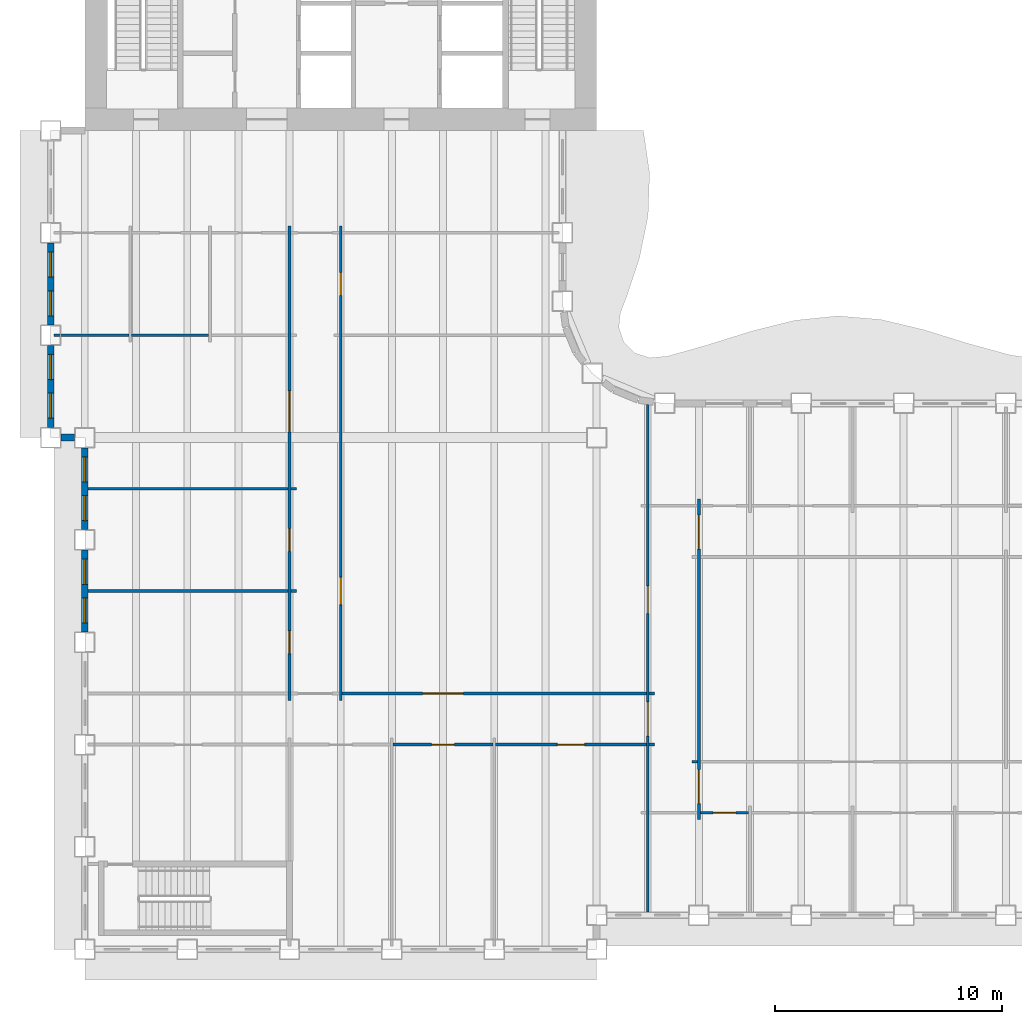
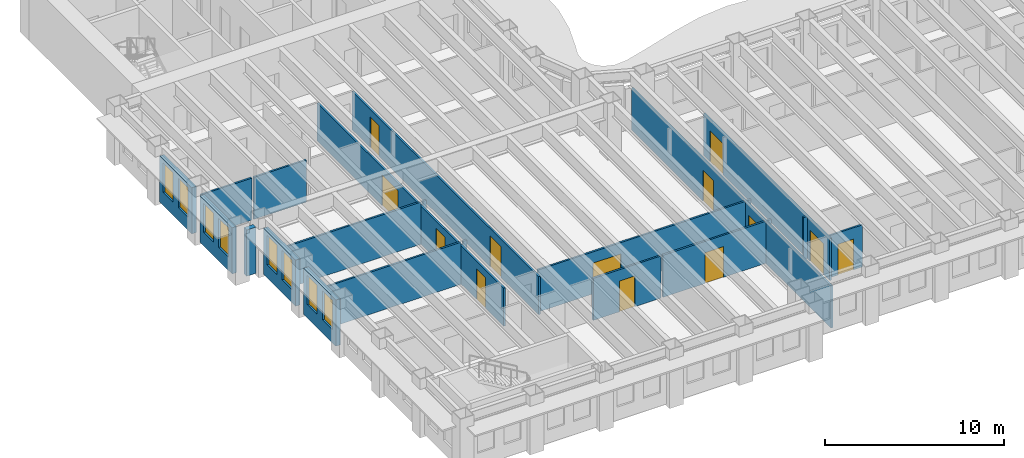
# One storey, part 4 of 16: 22 walls, 13 doors, 8 windows, 21 openings.
"""IFC4 building model written with IfcOpenShell, lengths in metres."""

import ifcopenshell
import ifcopenshell.guid

model = None  # the IFC model being written
_history = None  # IfcOwnerHistory: only IFC2X3 demands one
_inside = {}  # id of a spatial element -> (the spatial element, [elements in it])
_under = {}  # id of a project, library or spatial element -> (it, [spatial elements below it])
_declared = {}  # id of a project -> (the project, [libraries it declares])
_typed = {}  # id of a type object -> (the type object, [elements of that type])
_made_of = {}  # id of a material, layer set ... -> (it, [elements and type objects made of it])


def new_model(schema):
    """Start an empty IFC model of exactly this schema.

    Asked for "IFC4X3", IfcOpenShell would pick the latest addendum, in which some entities
    have other attributes; the version numbers below select the first issue.
    IFC2X3 requires an IfcOwnerHistory on every rooted entity: one is made here for all.
    """
    global model, _history
    if schema == "IFC4X3":
        model = ifcopenshell.file(schema_version=(4, 3, 0, 0))
    else:
        model = ifcopenshell.file(schema=schema)
    _inside.clear()
    _under.clear()
    _declared.clear()
    _typed.clear()
    _made_of.clear()
    _history = None
    if model.schema == "IFC2X3":
        org = make("IfcOrganization", Name="unknown")
        user = make(
            "IfcPersonAndOrganization",
            ThePerson=make("IfcPerson", FamilyName="unknown"),
            TheOrganization=org,
        )
        app = make(
            "IfcApplication",
            ApplicationDeveloper=org,
            Version="unknown",
            ApplicationFullName="unknown",
            ApplicationIdentifier="unknown",
        )
        _history = make(
            "IfcOwnerHistory",
            OwningUser=user,
            OwningApplication=app,
            ChangeAction="ADDED",
            CreationDate=0,
        )
    return model


def make(cls, **values):
    """One entity of the class cls with the attributes given. An attribute that is None is left unset."""
    return model.create_entity(
        cls, **{name: value for name, value in values.items() if value is not None}
    )


def rooted(cls, **values):
    """An entity with a GlobalId (a new one), such as an element, a storey or a relation."""
    return make(cls, GlobalId=ifcopenshell.guid.new(), OwnerHistory=_history, **values)


def si_unit(unit_type, name, prefix=None):
    """IfcSIUnit, for example si_unit("LENGTHUNIT", "METRE", prefix="MILLI")."""
    return make("IfcSIUnit", UnitType=unit_type, Prefix=prefix, Name=name)


def assignment(units):
    """IfcUnitAssignment: the units of a project."""
    return None if units is None else make("IfcUnitAssignment", Units=units)


def point(xyz):
    """IfcCartesianPoint."""
    return None if xyz is None else make("IfcCartesianPoint", Coordinates=xyz)


def direction(xyz):
    """IfcDirection."""
    return None if xyz is None else make("IfcDirection", DirectionRatios=xyz)


def frame(location, z_axis=None, x_axis=None):
    """IfcAxis2Placement3D, a coordinate frame: its origin and axes. An axis left out is left unset."""
    return make(
        "IfcAxis2Placement3D",
        Location=point(location),
        Axis=direction(z_axis),
        RefDirection=direction(x_axis),
    )


def frame_2d(location, x_axis=None):
    """IfcAxis2Placement2D, a coordinate frame in the plane: its origin and x axis."""
    return make(
        "IfcAxis2Placement2D", Location=point(location), RefDirection=direction(x_axis)
    )


def origin():
    """The frame at (0, 0, 0) with its axes left unset."""
    return frame((0.0, 0.0, 0.0))


def place(relative_to, where):
    """IfcLocalPlacement: puts the frame where relative to a parent placement (None: the world)."""
    return make(
        "IfcLocalPlacement", PlacementRelTo=relative_to, RelativePlacement=where
    )


def context(
    kind, dimensions, precision=None, world=None, true_north=None, identifier=None
):
    """IfcGeometricRepresentationContext, for example the 3D "Model" context."""
    return make(
        "IfcGeometricRepresentationContext",
        ContextIdentifier=identifier,
        ContextType=kind,
        CoordinateSpaceDimension=dimensions,
        Precision=precision,
        WorldCoordinateSystem=world,
        TrueNorth=true_north,
    )


def subcontext(parent, identifier, kind, view, scale=None):
    """IfcGeometricRepresentationSubContext, for example "Body" below "Model"."""
    return make(
        "IfcGeometricRepresentationSubContext",
        ContextIdentifier=identifier,
        ContextType=kind,
        ParentContext=parent,
        TargetScale=scale,
        TargetView=view,
    )


def project(units=None, contexts=None):
    """IfcProject with its units and contexts."""
    return rooted(
        "IfcProject",
        Name="project",
        RepresentationContexts=contexts,
        UnitsInContext=assignment(units),
    )


def spatial(cls, under=None, at=None, **own):
    """A site, building, storey or space (cls), placed at a placement, below another one or the project."""
    s = rooted(cls, ObjectPlacement=at, **own)
    if under is not None:
        _under.setdefault(under.id(), (under, []))[1].append(s)
    return s


def profile(cls, at=None, kind="AREA", **sizes):
    """A parametric profile (cls). Its sizes go by their IFC names, for example OverallWidth=200.0."""
    return make(cls, ProfileType=kind, Position=at, **sizes)


def rectangle(**sizes):
    """IfcRectangleProfileDef."""
    return profile("IfcRectangleProfileDef", **sizes)


def extrude(swept, where, along, depth):
    """IfcExtrudedAreaSolid: the profile swept, set in the frame where, extruded along a direction by depth."""
    return make(
        "IfcExtrudedAreaSolid",
        SweptArea=swept,
        Position=where,
        ExtrudedDirection=direction(along),
        Depth=depth,
    )


def shape(context_of_items, identifier, shape_type, items):
    """IfcShapeRepresentation: the items that make up one representation, for example the "Body"."""
    return make(
        "IfcShapeRepresentation",
        ContextOfItems=context_of_items,
        RepresentationIdentifier=identifier,
        RepresentationType=shape_type,
        Items=items,
    )


def material(Name=None, Category=None):
    """IfcMaterial."""
    return make("IfcMaterial", Name=Name, Category=Category)


def layer(
    of_material, thickness, ventilated=None, Name=None, Category=None, Priority=None
):
    """IfcMaterialLayer: one layer of a wall or slab, of a material (None: an air gap)."""
    return make(
        "IfcMaterialLayer",
        Material=of_material,
        LayerThickness=thickness,
        IsVentilated=ventilated,
        Name=Name,
        Category=Category,
        Priority=Priority,
    )


def layer_set(layers, Name=None):
    """IfcMaterialLayerSet."""
    return make("IfcMaterialLayerSet", MaterialLayers=layers, LayerSetName=Name)


def made_of(thing, what):
    """Note that an element or type object is made of a material, layer set ...; save() writes the relation."""
    if what is not None:
        _made_of.setdefault(what.id(), (what, []))[1].append(thing)
    return thing


def type_object(cls, material=None, **own):
    """A type object (cls), such as IfcWallType, which elements share."""
    return made_of(rooted(cls, **own), material)


def element(
    cls,
    number,
    at=None,
    inside=None,
    cuts=None,
    type_object=None,
    material=None,
    context=None,
    identifier="Body",
    shape_type=None,
    held_by="IfcProductDefinitionShape",
    body=None,
    shapes=None,
    **own,
):
    """One element of the class cls, such as IfcWall. Its Tag is "e" and its number.

    at: its placement. inside: the storey or other place that contains it. cuts: it is an
    opening in that element (IfcRelVoidsElement). A single representation is given by context,
    identifier, shape_type and body (its items); several are given by shapes. held_by: the class
    of the entity that holds the representations. save() writes the other relations.
    """
    e = rooted(cls, Tag="e%d" % number, ObjectPlacement=at, **own)
    if body is not None:
        shapes = [shape(context, identifier, shape_type, body)]
    if shapes is not None:
        e.Representation = make(held_by, Representations=shapes)
    if inside is not None:
        _inside.setdefault(inside.id(), (inside, []))[1].append(e)
    if cuts is not None:
        rooted(
            "IfcRelVoidsElement", RelatingBuildingElement=cuts, RelatedOpeningElement=e
        )
    if type_object is not None:
        _typed.setdefault(type_object.id(), (type_object, []))[1].append(e)
    return made_of(e, material)


def fill(opening, filler):
    """IfcRelFillsElement: the door or window that sits in an opening."""
    return rooted(
        "IfcRelFillsElement",
        RelatingOpeningElement=opening,
        RelatedBuildingElement=filler,
    )


def aggregate(whole, parts):
    """IfcRelAggregates: a whole, such as a stair, and the parts it consists of."""
    return rooted("IfcRelAggregates", RelatingObject=whole, RelatedObjects=parts)


def save(model, path):
    """Write the relations noted so far, then the file.

    IfcRelAggregates (storeys below a building ...), IfcRelContainedInSpatialStructure (elements
    in a storey), IfcRelDefinesByType, IfcRelAssociatesMaterial and IfcRelDeclares: one each for
    every whole, place, type object, material and project.
    """
    for whole, parts in _under.values():
        aggregate(whole, parts)
    for where, things in _inside.values():
        rooted(
            "IfcRelContainedInSpatialStructure",
            RelatedElements=things,
            RelatingStructure=where,
        )
    for kind, things in _typed.values():
        rooted("IfcRelDefinesByType", RelatedObjects=things, RelatingType=kind)
    for what, things in _made_of.values():
        rooted("IfcRelAssociatesMaterial", RelatedObjects=things, RelatingMaterial=what)
    for by, libraries in _declared.values():
        rooted("IfcRelDeclares", RelatingContext=by, RelatedDefinitions=libraries)
    model.write(path)


model = new_model("IFC4")

# Units and contexts
model_context = context("Model", 3, precision=1e-05, world=origin(), true_north=direction((0.0, 1.0)))
body_context = subcontext(model_context, "Body", "Model", "MODEL_VIEW")
ifc_project = project(units=[si_unit("LENGTHUNIT", "METRE"), si_unit("AREAUNIT", "SQUARE_METRE"), si_unit("VOLUMEUNIT", "CUBIC_METRE"), si_unit("PLANEANGLEUNIT", "RADIAN"), si_unit("MASSUNIT", "GRAM", prefix="KILO")], contexts=[model_context])

# Site, building, storey
site_placement = place(None, origin())
site = spatial("IfcSite", under=ifc_project, at=site_placement, CompositionType="ELEMENT")
building_placement = place(site_placement, origin())
building = spatial("IfcBuilding", under=site, at=building_placement, Name="Sennacour Bend Tower", CompositionType="ELEMENT")
storey_placement = place(building_placement, frame((0.0, 0.0, 159.0)))
storey = spatial("IfcBuildingStorey", under=building, at=storey_placement, Name="L36", CompositionType="ELEMENT", Elevation=159.0)

# Wall, openings, doors
ifc_material_1 = material(Name="Plasterboard partition on steel studs", Category="steel")
ifc_layer_1 = layer(ifc_material_1, 0.1201171875, Name="Plasterboard partition on steel studs", Category="steel")
ifc_layer_set_1 = layer_set([ifc_layer_1], Name="Plasterboard partition on steel studs")
wall_type_1 = type_object("IfcWallType", Name="Partition 120", PredefinedType="PARTITIONING", material=ifc_layer_set_1)
wall_1_placement = place(storey_placement, frame((9.0, 10.949951171875, 0.0), z_axis=(0.0, 0.0, 1.0), x_axis=(0.0, 1.0, 0.0)))
wall_1 = element("IfcWall", 1, at=wall_1_placement, inside=storey, type_object=wall_type_1, Name="P-L36-W012a", PredefinedType="PARTITIONING", context=body_context, shape_type="SweptSolid", body=[
    extrude(rectangle(XDim=20.85009765625, YDim=0.1201171875, at=frame_2d((10.425048828125, 0.0))), origin(), (0.0, 0.0, 1.0), 2.60009765625),
])
opening_1_placement = place(wall_1_placement, frame((2.050048828125, 0.0, 0.0)))
opening_1 = element("IfcOpeningElement", 2, at=opening_1_placement, cuts=wall_1, Name="Opening OD2", PredefinedType="OPENING", context=body_context, shape_type="SweptSolid", body=[
    extrude(rectangle(XDim=1.0, YDim=2.10009765625, at=frame_2d((0.5, 1.050048828125))), frame((0.0, 0.070068359375, 0.0), z_axis=(0.0, -1.0, 0.0), x_axis=(1.0, 0.0, 0.0)), (0.0, 0.0, 1.0), 0.14013671875),
])
opening_2_placement = place(wall_1_placement, frame((6.550048828125, 0.0, 0.0)))
opening_2 = element("IfcOpeningElement", 3, at=opening_2_placement, cuts=wall_1, Name="Opening OD2", PredefinedType="OPENING", context=body_context, shape_type="SweptSolid", body=[
    extrude(rectangle(XDim=1.0, YDim=2.10009765625, at=frame_2d((0.5, 1.050048828125))), frame((0.0, 0.070068359375, 0.0), z_axis=(0.0, -1.0, 0.0), x_axis=(1.0, 0.0, 0.0)), (0.0, 0.0, 1.0), 0.14013671875),
])
opening_3_placement = place(wall_1_placement, frame((11.804931640625, 0.0, 0.0)))
opening_3 = element("IfcOpeningElement", 4, at=opening_3_placement, cuts=wall_1, Name="Opening OD3", PredefinedType="OPENING", context=body_context, shape_type="SweptSolid", body=[
    extrude(rectangle(XDim=1.800048828125, YDim=2.10009765625, at=frame_2d((0.89990234375, 1.050048828125))), frame((0.0, 0.070068359375, 0.0), z_axis=(0.0, -1.0, 0.0), x_axis=(1.0, 0.0, 0.0)), (0.0, 0.0, 1.0), 0.14013671875),
])
ifc_material_2 = material(Name="Timber", Category="wood")
door_type_1 = type_object("IfcDoorType", Name="DR-OFFICE-1000", OperationType="NOTDEFINED", PredefinedType="DOOR", material=ifc_material_2)
door_1_placement = place(opening_1_placement, origin())
door_1 = element("IfcDoor", 5, at=door_1_placement, inside=storey, type_object=door_type_1, Name="Door", OperationType="SINGLE_SWING_LEFT", OverallHeight=2.10009765625, OverallWidth=1.0, PredefinedType="DOOR", context=body_context, shape_type="SweptSolid", body=[
    extrude(rectangle(XDim=1.0, YDim=2.10009765625, at=frame_2d((0.5, 1.050048828125))), frame((0.0, 0.02490234375, 0.0), z_axis=(0.0, -1.0, 0.0), x_axis=(1.0, 0.0, 0.0)), (0.0, 0.0, 1.0), 0.050048828125),
])
fill(opening_1, door_1)
door_2_placement = place(opening_2_placement, origin())
door_2 = element("IfcDoor", 6, at=door_2_placement, inside=storey, type_object=door_type_1, Name="Door", OperationType="SINGLE_SWING_LEFT", OverallHeight=2.10009765625, OverallWidth=1.0, PredefinedType="DOOR", context=body_context, shape_type="SweptSolid", body=[
    extrude(rectangle(XDim=1.0, YDim=2.10009765625, at=frame_2d((0.5, 1.050048828125))), frame((0.0, 0.02490234375, 0.0), z_axis=(0.0, -1.0, 0.0), x_axis=(1.0, 0.0, 0.0)), (0.0, 0.0, 1.0), 0.050048828125),
])
fill(opening_2, door_2)
door_type_2 = type_object("IfcDoorType", Name="DR-OFFICE-1800", OperationType="NOTDEFINED", PredefinedType="DOOR", material=ifc_material_2)
door_3_placement = place(opening_3_placement, origin())
door_3 = element("IfcDoor", 7, at=door_3_placement, inside=storey, type_object=door_type_2, Name="Door", OperationType="DOUBLE_DOOR_SINGLE_SWING", OverallHeight=2.10009765625, OverallWidth=1.800048828125, PredefinedType="DOOR", context=body_context, shape_type="SweptSolid", body=[
    extrude(rectangle(XDim=1.800048828125, YDim=2.10009765625, at=frame_2d((0.89990234375, 1.050048828125))), frame((0.0, 0.02490234375, 0.0), z_axis=(0.0, -1.0, 0.0), x_axis=(1.0, 0.0, 0.0)), (0.0, 0.0, 1.0), 0.050048828125),
])
fill(opening_3, door_3)

wall_2_placement = place(storey_placement, frame((11.25, 10.949951171875, 0.0), z_axis=(0.0, 0.0, 1.0), x_axis=(0.0, 1.0, 0.0)))
wall_2 = element("IfcWall", 8, at=wall_2_placement, inside=storey, type_object=wall_type_1, Name="P-L36-W014a", PredefinedType="PARTITIONING", context=body_context, shape_type="SweptSolid", body=[
    extrude(rectangle(XDim=20.85009765625, YDim=0.1201171875, at=frame_2d((10.425048828125, 0.0))), origin(), (0.0, 0.0, 1.0), 2.60009765625),
])
opening_4_placement = place(wall_2_placement, frame((17.800048828125, 0.0, 0.0)))
opening_4 = element("IfcOpeningElement", 9, at=opening_4_placement, cuts=wall_2, Name="Opening OD2", PredefinedType="OPENING", context=body_context, shape_type="SweptSolid", body=[
    extrude(rectangle(XDim=1.0, YDim=2.10009765625, at=frame_2d((0.5, 1.050048828125))), frame((0.0, 0.070068359375, 0.0), z_axis=(0.0, -1.0, 0.0), x_axis=(1.0, 0.0, 0.0)), (0.0, 0.0, 1.0), 0.14013671875),
])
opening_5_placement = place(wall_2_placement, frame((4.199951171875, 0.0, 0.0)))
opening_5 = element("IfcOpeningElement", 10, at=opening_5_placement, cuts=wall_2, Name="Opening OD", PredefinedType="OPENING", context=body_context, shape_type="SweptSolid", body=[
    extrude(rectangle(XDim=1.199951171875, YDim=2.10009765625, at=frame_2d((0.60009765625, 1.050048828125))), frame((0.0, 0.070068359375, 0.0), z_axis=(0.0, -1.0, 0.0), x_axis=(1.0, 0.0, 0.0)), (0.0, 0.0, 1.0), 0.14013671875),
])
door_4_placement = place(opening_4_placement, origin())
door_4 = element("IfcDoor", 11, at=door_4_placement, inside=storey, type_object=door_type_1, Name="Door", OperationType="SINGLE_SWING_RIGHT", OverallHeight=2.10009765625, OverallWidth=1.0, PredefinedType="DOOR", context=body_context, shape_type="SweptSolid", body=[
    extrude(rectangle(XDim=1.0, YDim=2.10009765625, at=frame_2d((0.5, 1.050048828125))), frame((0.0, 0.02490234375, 0.0), z_axis=(0.0, -1.0, 0.0), x_axis=(1.0, 0.0, 0.0)), (0.0, 0.0, 1.0), 0.050048828125),
])
fill(opening_4, door_4)
door_type_3 = type_object("IfcDoorType", Name="DR-OFFICE-1200", OperationType="NOTDEFINED", PredefinedType="DOOR", material=ifc_material_2)
door_5_placement = place(opening_5_placement, origin())
door_5 = element("IfcDoor", 12, at=door_5_placement, inside=storey, type_object=door_type_3, Name="Door", OperationType="SINGLE_SWING_LEFT", OverallHeight=2.10009765625, OverallWidth=1.199951171875, PredefinedType="DOOR", context=body_context, shape_type="SweptSolid", body=[
    extrude(rectangle(XDim=1.199951171875, YDim=2.10009765625, at=frame_2d((0.60009765625, 1.050048828125))), frame((0.0, 0.02490234375, 0.0), z_axis=(0.0, -1.0, 0.0), x_axis=(1.0, 0.0, 0.0)), (0.0, 0.0, 1.0), 0.050048828125),
])
fill(opening_5, door_5)

# Wall, opening, door
wall_3_placement = place(storey_placement, frame((27.06005859375, 6.0, 0.0), z_axis=(0.0, 0.0, 1.0), x_axis=(1.0, 0.0, 0.0)))
wall_3 = element("IfcWall", 13, at=wall_3_placement, inside=storey, type_object=wall_type_1, Name="P-L36-W058ac", PredefinedType="PARTITIONING", context=body_context, shape_type="SweptSolid", body=[
    extrude(rectangle(XDim=2.1298828125, YDim=0.1201171875, at=frame_2d((1.06494140625, 0.0))), origin(), (0.0, 0.0, 1.0), 2.8701171875),
])
opening_6_placement = place(wall_3_placement, frame((0.56494140625, 0.0, 0.0)))
opening_6 = element("IfcOpeningElement", 14, at=opening_6_placement, cuts=wall_3, Name="Opening OD2", PredefinedType="OPENING", context=body_context, shape_type="SweptSolid", body=[
    extrude(rectangle(XDim=1.0, YDim=2.10009765625, at=frame_2d((0.5, 1.050048828125))), frame((0.0, 0.070068359375, 0.0), z_axis=(0.0, -1.0, 0.0), x_axis=(1.0, 0.0, 0.0)), (0.0, 0.0, 1.0), 0.14013671875),
])
door_6_placement = place(opening_6_placement, origin())
door_6 = element("IfcDoor", 15, at=door_6_placement, inside=storey, type_object=door_type_1, Name="Door", OperationType="SINGLE_SWING_LEFT", OverallHeight=2.10009765625, OverallWidth=1.0, PredefinedType="DOOR", context=body_context, shape_type="SweptSolid", body=[
    extrude(rectangle(XDim=1.0, YDim=2.10009765625, at=frame_2d((0.5, 1.050048828125))), frame((0.0, 0.02490234375, 0.0), z_axis=(0.0, -1.0, 0.0), x_axis=(1.0, 0.0, 0.0)), (0.0, 0.0, 1.0), 0.050048828125),
])
fill(opening_6, door_6)

# Wall
wall_4_placement = place(storey_placement, frame((26.699951171875, 8.25, 0.0), z_axis=(0.0, 0.0, 1.0), x_axis=(1.0, 0.0, 0.0)))
element("IfcWall", 16, at=wall_4_placement, inside=storey, type_object=wall_type_1, Name="P-L36-W060aa", PredefinedType="PARTITIONING", context=body_context, shape_type="SweptSolid", body=[
    extrude(rectangle(XDim=0.239990234375, YDim=0.1201171875, at=frame_2d((0.1201171875, 0.0))), origin(), (0.0, 0.0, 1.0), 2.8701171875),
])

# Wall, opening, door
wall_5_placement = place(storey_placement, frame((13.56005859375, 9.0, 0.0), z_axis=(0.0, 0.0, 1.0), x_axis=(1.0, 0.0, 0.0)))
wall_5 = element("IfcWall", 17, at=wall_5_placement, inside=storey, type_object=wall_type_1, Name="P-L36-W061ac", PredefinedType="PARTITIONING", context=body_context, shape_type="SweptSolid", body=[
    extrude(rectangle(XDim=4.3798828125, YDim=0.1201171875, at=frame_2d((2.18994140625, 0.0))), origin(), (0.0, 0.0, 1.0), 2.8701171875),
])
opening_7_placement = place(wall_5_placement, frame((1.68994140625, 0.0, 0.0)))
opening_7 = element("IfcOpeningElement", 18, at=opening_7_placement, cuts=wall_5, Name="Opening OD2", PredefinedType="OPENING", context=body_context, shape_type="SweptSolid", body=[
    extrude(rectangle(XDim=1.0, YDim=2.10009765625, at=frame_2d((0.5, 1.050048828125))), frame((0.0, 0.070068359375, 0.0), z_axis=(0.0, -1.0, 0.0), x_axis=(1.0, 0.0, 0.0)), (0.0, 0.0, 1.0), 0.14013671875),
])
door_7_placement = place(opening_7_placement, origin())
door_7 = element("IfcDoor", 19, at=door_7_placement, inside=storey, type_object=door_type_1, Name="Door", OperationType="SINGLE_SWING_LEFT", OverallHeight=2.10009765625, OverallWidth=1.0, PredefinedType="DOOR", context=body_context, shape_type="SweptSolid", body=[
    extrude(rectangle(XDim=1.0, YDim=2.10009765625, at=frame_2d((0.5, 1.050048828125))), frame((0.0, 0.02490234375, 0.0), z_axis=(0.0, -1.0, 0.0), x_axis=(1.0, 0.0, 0.0)), (0.0, 0.0, 1.0), 0.050048828125),
])
fill(opening_7, door_7)

wall_6_placement = place(storey_placement, frame((18.06005859375, 9.0, 0.0), z_axis=(0.0, 0.0, 1.0), x_axis=(1.0, 0.0, 0.0)))
wall_6 = element("IfcWall", 20, at=wall_6_placement, inside=storey, type_object=wall_type_1, Name="P-L36-W061ad", PredefinedType="PARTITIONING", context=body_context, shape_type="SweptSolid", body=[
    extrude(rectangle(XDim=6.6298828125, YDim=0.1201171875, at=frame_2d((3.31494140625, 0.0))), origin(), (0.0, 0.0, 1.0), 2.8701171875),
])
opening_8_placement = place(wall_6_placement, frame((2.71484375, 0.0, 0.0)))
opening_8 = element("IfcOpeningElement", 21, at=opening_8_placement, cuts=wall_6, Name="Opening OD", PredefinedType="OPENING", context=body_context, shape_type="SweptSolid", body=[
    extrude(rectangle(XDim=1.199951171875, YDim=2.10009765625, at=frame_2d((0.60009765625, 1.050048828125))), frame((0.0, 0.070068359375, 0.0), z_axis=(0.0, -1.0, 0.0), x_axis=(1.0, 0.0, 0.0)), (0.0, 0.0, 1.0), 0.14013671875),
])
door_8_placement = place(opening_8_placement, origin())
door_8 = element("IfcDoor", 22, at=door_8_placement, inside=storey, type_object=door_type_3, Name="Door", OperationType="SINGLE_SWING_LEFT", OverallHeight=2.10009765625, OverallWidth=1.199951171875, PredefinedType="DOOR", context=body_context, shape_type="SweptSolid", body=[
    extrude(rectangle(XDim=1.199951171875, YDim=2.10009765625, at=frame_2d((0.60009765625, 1.050048828125))), frame((0.0, 0.02490234375, 0.0), z_axis=(0.0, -1.0, 0.0), x_axis=(1.0, 0.0, 0.0)), (0.0, 0.0, 1.0), 0.050048828125),
])
fill(opening_8, door_8)

# Wall
wall_7_placement = place(storey_placement, frame((24.81005859375, 9.0, 0.0), z_axis=(0.0, 0.0, 1.0), x_axis=(1.0, 0.0, 0.0)))
element("IfcWall", 23, at=wall_7_placement, inside=storey, type_object=wall_type_1, Name="P-L36-W061ae", PredefinedType="PARTITIONING", context=body_context, shape_type="SweptSolid", body=[
    extrude(rectangle(XDim=0.239990234375, YDim=0.1201171875, at=frame_2d((0.1201171875, 0.0))), origin(), (0.0, 0.0, 1.0), 2.8701171875),
])

# Wall, opening, door
wall_8_placement = place(storey_placement, frame((11.31005859375, 11.25, 0.0), z_axis=(0.0, 0.0, 1.0), x_axis=(1.0, 0.0, 0.0)))
wall_8 = element("IfcWall", 24, at=wall_8_placement, inside=storey, type_object=wall_type_1, Name="P-L36-W063ac", PredefinedType="PARTITIONING", context=body_context, shape_type="SweptSolid", body=[
    extrude(rectangle(XDim=13.3798828125, YDim=0.1201171875, at=frame_2d((6.68994140625, 0.0))), origin(), (0.0, 0.0, 1.0), 2.8701171875),
])
opening_9_placement = place(wall_8_placement, frame((3.539794921875, 0.0, 0.0)))
opening_9 = element("IfcOpeningElement", 25, at=opening_9_placement, cuts=wall_8, Name="Opening OD3", PredefinedType="OPENING", context=body_context, shape_type="SweptSolid", body=[
    extrude(rectangle(XDim=1.800048828125, YDim=2.10009765625, at=frame_2d((0.89990234375, 1.050048828125))), frame((0.0, 0.070068359375, 0.0), z_axis=(0.0, -1.0, 0.0), x_axis=(1.0, 0.0, 0.0)), (0.0, 0.0, 1.0), 0.14013671875),
])
door_9_placement = place(opening_9_placement, origin())
door_9 = element("IfcDoor", 26, at=door_9_placement, inside=storey, type_object=door_type_2, Name="Door", OperationType="DOUBLE_DOOR_SINGLE_SWING", OverallHeight=2.10009765625, OverallWidth=1.800048828125, PredefinedType="DOOR", context=body_context, shape_type="SweptSolid", body=[
    extrude(rectangle(XDim=1.800048828125, YDim=2.10009765625, at=frame_2d((0.89990234375, 1.050048828125))), frame((0.0, 0.02490234375, 0.0), z_axis=(0.0, -1.0, 0.0), x_axis=(1.0, 0.0, 0.0)), (0.0, 0.0, 1.0), 0.050048828125),
])
fill(opening_9, door_9)

# Walls
wall_9_placement = place(storey_placement, frame((24.81005859375, 11.25, 0.0), z_axis=(0.0, 0.0, 1.0), x_axis=(1.0, 0.0, 0.0)))
element("IfcWall", 27, at=wall_9_placement, inside=storey, type_object=wall_type_1, Name="P-L36-W063ad", PredefinedType="PARTITIONING", context=body_context, shape_type="SweptSolid", body=[
    extrude(rectangle(XDim=0.239990234375, YDim=0.1201171875, at=frame_2d((0.1201171875, 0.0))), origin(), (0.0, 0.0, 1.0), 2.8701171875),
])
wall_10_placement = place(storey_placement, frame((0.14990234375, 15.75, 0.0), z_axis=(0.0, 0.0, 1.0), x_axis=(1.0, 0.0, 0.0)))
element("IfcWall", 28, at=wall_10_placement, inside=storey, type_object=wall_type_1, Name="P-L36-W069aa", PredefinedType="PARTITIONING", context=body_context, shape_type="SweptSolid", body=[
    extrude(rectangle(XDim=8.7900390625, YDim=0.1201171875, at=frame_2d((4.39501953125, 0.0))), origin(), (0.0, 0.0, 1.0), 2.8701171875),
])
wall_11_placement = place(storey_placement, frame((9.06005859375, 15.75, 0.0), z_axis=(0.0, 0.0, 1.0), x_axis=(1.0, 0.0, 0.0)))
element("IfcWall", 29, at=wall_11_placement, inside=storey, type_object=wall_type_1, Name="P-L36-W069ab", PredefinedType="PARTITIONING", context=body_context, shape_type="SweptSolid", body=[
    extrude(rectangle(XDim=0.239990234375, YDim=0.1201171875, at=frame_2d((0.1201171875, 0.0))), origin(), (0.0, 0.0, 1.0), 2.8701171875),
])
wall_12_placement = place(storey_placement, frame((0.14990234375, 20.25, 0.0), z_axis=(0.0, 0.0, 1.0), x_axis=(1.0, 0.0, 0.0)))
element("IfcWall", 30, at=wall_12_placement, inside=storey, type_object=wall_type_1, Name="P-L36-W075aa", PredefinedType="PARTITIONING", context=body_context, shape_type="SweptSolid", body=[
    extrude(rectangle(XDim=8.7900390625, YDim=0.1201171875, at=frame_2d((4.39501953125, 0.0))), origin(), (0.0, 0.0, 1.0), 2.8701171875),
])
wall_13_placement = place(storey_placement, frame((9.06005859375, 20.25, 0.0), z_axis=(0.0, 0.0, 1.0), x_axis=(1.0, 0.0, 0.0)))
element("IfcWall", 31, at=wall_13_placement, inside=storey, type_object=wall_type_1, Name="P-L36-W075ab", PredefinedType="PARTITIONING", context=body_context, shape_type="SweptSolid", body=[
    extrude(rectangle(XDim=0.239990234375, YDim=0.1201171875, at=frame_2d((0.1201171875, 0.0))), origin(), (0.0, 0.0, 1.0), 2.8701171875),
])
wall_14_placement = place(storey_placement, frame((-1.35009765625, 27.0, 0.0), z_axis=(0.0, 0.0, 1.0), x_axis=(1.0, 0.0, 0.0)))
element("IfcWall", 32, at=wall_14_placement, inside=storey, type_object=wall_type_1, Name="P-L36-W077aa", PredefinedType="PARTITIONING", context=body_context, shape_type="SweptSolid", body=[
    extrude(rectangle(XDim=3.2900390625, YDim=0.1201171875, at=frame_2d((1.64501953125, 0.0))), origin(), (0.0, 0.0, 1.0), 2.8701171875),
])
wall_15_placement = place(storey_placement, frame((2.06005859375, 27.0, 0.0), z_axis=(0.0, 0.0, 1.0), x_axis=(1.0, 0.0, 0.0)))
element("IfcWall", 33, at=wall_15_placement, inside=storey, type_object=wall_type_1, Name="P-L36-W077ab", PredefinedType="PARTITIONING", context=body_context, shape_type="SweptSolid", body=[
    extrude(rectangle(XDim=3.3798828125, YDim=0.1201171875, at=frame_2d((1.68994140625, 0.0))), origin(), (0.0, 0.0, 1.0), 2.8701171875),
])

# Wall, openings, doors
ifc_layer_2 = layer(ifc_material_1, 0.1201171875, Name="Plasterboard partition on steel studs", Category="steel")
ifc_layer_set_2 = layer_set([ifc_layer_2], Name="Plasterboard partition on steel studs")
wall_type_2 = type_object("IfcWallType", Name="Partition 120 EI 30", PredefinedType="PARTITIONING", material=ifc_layer_set_2)
wall_16_placement = place(storey_placement, frame((24.75, 1.64990234375, 0.0), z_axis=(0.0, 0.0, 1.0), x_axis=(0.0, 1.0, 0.0)))
wall_16 = element("IfcWall", 34, at=wall_16_placement, inside=storey, type_object=wall_type_2, Name="P-L36-W024a", PredefinedType="PARTITIONING", context=body_context, shape_type="SweptSolid", body=[
    extrude(rectangle(XDim=22.297607421875, YDim=0.1201171875, at=frame_2d((11.14892578125, 0.0))), origin(), (0.0, 0.0, 1.0), 2.8701171875),
])
opening_10_placement = place(wall_16_placement, frame((7.72509765625, 0.0, 0.0)))
opening_10 = element("IfcOpeningElement", 35, at=opening_10_placement, cuts=wall_16, Name="Opening KD", PredefinedType="OPENING", context=body_context, shape_type="SweptSolid", body=[
    extrude(rectangle(XDim=1.5, YDim=2.10009765625, at=frame_2d((0.75, 1.050048828125))), frame((0.0, 0.070068359375, 0.0), z_axis=(0.0, -1.0, 0.0), x_axis=(1.0, 0.0, 0.0)), (0.0, 0.0, 1.0), 0.14013671875),
])
opening_11_placement = place(wall_16_placement, frame((13.125, 0.0, 0.0)))
opening_11 = element("IfcOpeningElement", 36, at=opening_11_placement, cuts=wall_16, Name="Opening OD", PredefinedType="OPENING", context=body_context, shape_type="SweptSolid", body=[
    extrude(rectangle(XDim=1.199951171875, YDim=2.10009765625, at=frame_2d((0.60009765625, 1.050048828125))), frame((0.0, 0.070068359375, 0.0), z_axis=(0.0, -1.0, 0.0), x_axis=(1.0, 0.0, 0.0)), (0.0, 0.0, 1.0), 0.14013671875),
])
ifc_material_3 = material(Name="Painted steel", Category="steel")
door_type_4 = type_object("IfcDoorType", Name="DR-CORRIDOR-1500", OperationType="NOTDEFINED", PredefinedType="DOOR", material=ifc_material_3)
door_10_placement = place(opening_10_placement, origin())
door_10 = element("IfcDoor", 37, at=door_10_placement, inside=storey, type_object=door_type_4, Name="Door", OperationType="SINGLE_SWING_LEFT", OverallHeight=2.10009765625, OverallWidth=1.5, PredefinedType="DOOR", context=body_context, shape_type="SweptSolid", body=[
    extrude(rectangle(XDim=1.5, YDim=2.10009765625, at=frame_2d((0.75, 1.050048828125))), frame((0.0, 0.02490234375, 0.0), z_axis=(0.0, -1.0, 0.0), x_axis=(1.0, 0.0, 0.0)), (0.0, 0.0, 1.0), 0.050048828125),
])
fill(opening_10, door_10)
door_11_placement = place(opening_11_placement, origin())
door_11 = element("IfcDoor", 38, at=door_11_placement, inside=storey, type_object=door_type_3, Name="Door", OperationType="SINGLE_SWING_RIGHT", OverallHeight=2.10009765625, OverallWidth=1.199951171875, PredefinedType="DOOR", context=body_context, shape_type="SweptSolid", body=[
    extrude(rectangle(XDim=1.199951171875, YDim=2.10009765625, at=frame_2d((0.60009765625, 1.050048828125))), frame((0.0, 0.02490234375, 0.0), z_axis=(0.0, -1.0, 0.0), x_axis=(1.0, 0.0, 0.0)), (0.0, 0.0, 1.0), 0.050048828125),
])
fill(opening_11, door_11)

wall_17_placement = place(storey_placement, frame((27.0, 5.699951171875, 0.0), z_axis=(0.0, 0.0, 1.0), x_axis=(0.0, 1.0, 0.0)))
wall_17 = element("IfcWall", 39, at=wall_17_placement, inside=storey, type_object=wall_type_2, Name="P-L36-W025a", PredefinedType="PARTITIONING", context=body_context, shape_type="SweptSolid", body=[
    extrude(rectangle(XDim=14.10009765625, YDim=0.1201171875, at=frame_2d((7.050048828125, 0.0))), origin(), (0.0, 0.0, 1.0), 2.8701171875),
])
opening_12_placement = place(wall_17_placement, frame((0.705078125, 0.0, 0.0)))
opening_12 = element("IfcOpeningElement", 40, at=opening_12_placement, cuts=wall_17, Name="Opening KD", PredefinedType="OPENING", context=body_context, shape_type="SweptSolid", body=[
    extrude(rectangle(XDim=1.5, YDim=2.10009765625, at=frame_2d((0.75, 1.050048828125))), frame((0.0, 0.070068359375, 0.0), z_axis=(0.0, -1.0, 0.0), x_axis=(1.0, 0.0, 0.0)), (0.0, 0.0, 1.0), 0.14013671875),
])
opening_13_placement = place(wall_17_placement, frame((11.89501953125, 0.0, 0.0)))
opening_13 = element("IfcOpeningElement", 41, at=opening_13_placement, cuts=wall_17, Name="Opening KD", PredefinedType="OPENING", context=body_context, shape_type="SweptSolid", body=[
    extrude(rectangle(XDim=1.5, YDim=2.10009765625, at=frame_2d((0.75, 1.050048828125))), frame((0.0, 0.070068359375, 0.0), z_axis=(0.0, -1.0, 0.0), x_axis=(1.0, 0.0, 0.0)), (0.0, 0.0, 1.0), 0.14013671875),
])
door_12_placement = place(opening_12_placement, origin())
door_12 = element("IfcDoor", 42, at=door_12_placement, inside=storey, type_object=door_type_4, Name="Door", OperationType="SINGLE_SWING_LEFT", OverallHeight=2.10009765625, OverallWidth=1.5, PredefinedType="DOOR", context=body_context, shape_type="SweptSolid", body=[
    extrude(rectangle(XDim=1.5, YDim=2.10009765625, at=frame_2d((0.75, 1.050048828125))), frame((0.0, 0.02490234375, 0.0), z_axis=(0.0, -1.0, 0.0), x_axis=(1.0, 0.0, 0.0)), (0.0, 0.0, 1.0), 0.050048828125),
])
fill(opening_12, door_12)
door_13_placement = place(opening_13_placement, origin())
door_13 = element("IfcDoor", 43, at=door_13_placement, inside=storey, type_object=door_type_4, Name="Door", OperationType="SINGLE_SWING_RIGHT", OverallHeight=2.10009765625, OverallWidth=1.5, PredefinedType="DOOR", context=body_context, shape_type="SweptSolid", body=[
    extrude(rectangle(XDim=1.5, YDim=2.10009765625, at=frame_2d((0.75, 1.050048828125))), frame((0.0, 0.02490234375, 0.0), z_axis=(0.0, -1.0, 0.0), x_axis=(1.0, 0.0, 0.0)), (0.0, 0.0, 1.0), 0.050048828125),
])
fill(opening_13, door_13)

# Wall, openings, windows
ifc_material_4 = material(Name="Warm limestone cladding", Category="masonry")
ifc_layer_3 = layer(ifc_material_4, 0.050048828125, Name="Warm limestone cladding", Category="masonry")
ifc_material_5 = material(Name="Precast concrete C40/50", Category="concrete")
ifc_layer_4 = layer(ifc_material_5, 0.25, Name="Precast concrete C40/50", Category="concrete")
ifc_layer_set_3 = layer_set([ifc_layer_3, ifc_layer_4], Name="Precast concrete C40/50 with limestone cladding")
wall_type_3 = type_object("IfcWallType", Name="STONE-CLAD PRECAST SPANDREL 300", PredefinedType="STANDARD", material=ifc_layer_set_3)
wall_18_placement = place(storey_placement, frame((-1.5, 31.050048828125, 0.0), z_axis=(0.0, 0.0, 1.0), x_axis=(0.0, -1.0, 0.0)))
wall_18 = element("IfcWall", 44, at=wall_18_placement, inside=storey, type_object=wall_type_3, Name="Stone spandrel and pier wall L36 21.01", PredefinedType="STANDARD", context=body_context, shape_type="SweptSolid", body=[
    extrude(rectangle(XDim=3.60009765625, YDim=0.300048828125, at=frame_2d((1.800048828125, 0.0))), origin(), (0.0, 0.0, 1.0), 3.14892578125),
])
opening_14_placement = place(wall_18_placement, frame((0.39990234375, 0.0, 0.89990234375)))
opening_14 = element("IfcOpeningElement", 45, at=opening_14_placement, cuts=wall_18, Name="Opening W19", PredefinedType="OPENING", context=body_context, shape_type="SweptSolid", body=[
    extrude(rectangle(XDim=1.10009765625, YDim=2.0, at=frame_2d((0.550048828125, 1.0))), frame((0.0, 0.16015625, 0.0), z_axis=(0.0, -1.0, 0.0), x_axis=(1.0, 0.0, 0.0)), (0.0, 0.0, 1.0), 0.320068359375),
])
opening_15_placement = place(wall_18_placement, frame((2.10009765625, 0.0, 0.89990234375)))
opening_15 = element("IfcOpeningElement", 46, at=opening_15_placement, cuts=wall_18, Name="Opening W19", PredefinedType="OPENING", context=body_context, shape_type="SweptSolid", body=[
    extrude(rectangle(XDim=1.10009765625, YDim=2.0, at=frame_2d((0.550048828125, 1.0))), frame((0.0, 0.16015625, 0.0), z_axis=(0.0, -1.0, 0.0), x_axis=(1.0, 0.0, 0.0)), (0.0, 0.0, 1.0), 0.320068359375),
])
ifc_material_6 = material(Name="Clear low-emissivity glass", Category="glass")
window_type = type_object("IfcWindowType", Name="WIN-RIBBON-1100x2000", PartitioningType="SINGLE_PANEL", PredefinedType="WINDOW", material=ifc_material_6)
window_1_placement = place(opening_14_placement, origin())
window_1 = element("IfcWindow", 47, at=window_1_placement, inside=storey, type_object=window_type, Name="Ribbon window L36 21.01.0", OverallHeight=2.0, OverallWidth=1.10009765625, PartitioningType="SINGLE_PANEL", PredefinedType="WINDOW", context=body_context, shape_type="SweptSolid", body=[
    extrude(rectangle(XDim=1.10009765625, YDim=2.0, at=frame_2d((0.550048828125, 1.0))), frame((0.0, 0.030029296875, 0.0), z_axis=(0.0, -1.0, 0.0), x_axis=(1.0, 0.0, 0.0)), (0.0, 0.0, 1.0), 0.06005859375),
])
fill(opening_14, window_1)
window_2_placement = place(opening_15_placement, origin())
window_2 = element("IfcWindow", 48, at=window_2_placement, inside=storey, type_object=window_type, Name="Ribbon window L36 21.01.1", OverallHeight=2.0, OverallWidth=1.10009765625, PartitioningType="SINGLE_PANEL", PredefinedType="WINDOW", context=body_context, shape_type="SweptSolid", body=[
    extrude(rectangle(XDim=1.10009765625, YDim=2.0, at=frame_2d((0.550048828125, 1.0))), frame((0.0, 0.030029296875, 0.0), z_axis=(0.0, -1.0, 0.0), x_axis=(1.0, 0.0, 0.0)), (0.0, 0.0, 1.0), 0.06005859375),
])
fill(opening_15, window_2)

wall_19_placement = place(storey_placement, frame((-1.5, 26.550048828125, 0.0), z_axis=(0.0, 0.0, 1.0), x_axis=(0.0, -1.0, 0.0)))
wall_19 = element("IfcWall", 49, at=wall_19_placement, inside=storey, type_object=wall_type_3, Name="Stone spandrel and pier wall L36 21.02", PredefinedType="STANDARD", context=body_context, shape_type="SweptSolid", body=[
    extrude(rectangle(XDim=3.60009765625, YDim=0.300048828125, at=frame_2d((1.800048828125, 0.0))), origin(), (0.0, 0.0, 1.0), 3.14892578125),
])
opening_16_placement = place(wall_19_placement, frame((0.39990234375, 0.0, 0.89990234375)))
opening_16 = element("IfcOpeningElement", 50, at=opening_16_placement, cuts=wall_19, Name="Opening W19", PredefinedType="OPENING", context=body_context, shape_type="SweptSolid", body=[
    extrude(rectangle(XDim=1.10009765625, YDim=2.0, at=frame_2d((0.550048828125, 1.0))), frame((0.0, 0.16015625, 0.0), z_axis=(0.0, -1.0, 0.0), x_axis=(1.0, 0.0, 0.0)), (0.0, 0.0, 1.0), 0.320068359375),
])
opening_17_placement = place(wall_19_placement, frame((2.10009765625, 0.0, 0.89990234375)))
opening_17 = element("IfcOpeningElement", 51, at=opening_17_placement, cuts=wall_19, Name="Opening W19", PredefinedType="OPENING", context=body_context, shape_type="SweptSolid", body=[
    extrude(rectangle(XDim=1.10009765625, YDim=2.0, at=frame_2d((0.550048828125, 1.0))), frame((0.0, 0.16015625, 0.0), z_axis=(0.0, -1.0, 0.0), x_axis=(1.0, 0.0, 0.0)), (0.0, 0.0, 1.0), 0.320068359375),
])
window_3_placement = place(opening_16_placement, origin())
window_3 = element("IfcWindow", 52, at=window_3_placement, inside=storey, type_object=window_type, Name="Ribbon window L36 21.02.0", OverallHeight=2.0, OverallWidth=1.10009765625, PartitioningType="SINGLE_PANEL", PredefinedType="WINDOW", context=body_context, shape_type="SweptSolid", body=[
    extrude(rectangle(XDim=1.10009765625, YDim=2.0, at=frame_2d((0.550048828125, 1.0))), frame((0.0, 0.030029296875, 0.0), z_axis=(0.0, -1.0, 0.0), x_axis=(1.0, 0.0, 0.0)), (0.0, 0.0, 1.0), 0.06005859375),
])
fill(opening_16, window_3)
window_4_placement = place(opening_17_placement, origin())
window_4 = element("IfcWindow", 53, at=window_4_placement, inside=storey, type_object=window_type, Name="Ribbon window L36 21.02.1", OverallHeight=2.0, OverallWidth=1.10009765625, PartitioningType="SINGLE_PANEL", PredefinedType="WINDOW", context=body_context, shape_type="SweptSolid", body=[
    extrude(rectangle(XDim=1.10009765625, YDim=2.0, at=frame_2d((0.550048828125, 1.0))), frame((0.0, 0.030029296875, 0.0), z_axis=(0.0, -1.0, 0.0), x_axis=(1.0, 0.0, 0.0)), (0.0, 0.0, 1.0), 0.06005859375),
])
fill(opening_17, window_4)

# Wall
wall_20_placement = place(storey_placement, frame((-1.050048828125, 22.5, 0.0), z_axis=(0.0, 0.0, 1.0), x_axis=(1.0, 0.0, 0.0)))
element("IfcWall", 54, at=wall_20_placement, inside=storey, type_object=wall_type_3, Name="Stone spandrel and pier wall L36 22.00", PredefinedType="STANDARD", context=body_context, shape_type="SweptSolid", body=[
    extrude(rectangle(XDim=0.60009765625, YDim=0.300048828125, at=frame_2d((0.300048828125, 0.0))), origin(), (0.0, 0.0, 1.0), 3.14892578125),
])

# Wall, openings, windows
wall_21_placement = place(storey_placement, frame((0.0, 22.050048828125, 0.0), z_axis=(0.0, 0.0, 1.0), x_axis=(0.0, -1.0, 0.0)))
wall_21 = element("IfcWall", 55, at=wall_21_placement, inside=storey, type_object=wall_type_3, Name="Stone spandrel and pier wall L36 23.00", PredefinedType="STANDARD", context=body_context, shape_type="SweptSolid", body=[
    extrude(rectangle(XDim=3.60009765625, YDim=0.300048828125, at=frame_2d((1.800048828125, 0.0))), origin(), (0.0, 0.0, 1.0), 3.14892578125),
])
opening_18_placement = place(wall_21_placement, frame((0.39990234375, 0.0, 0.89990234375)))
opening_18 = element("IfcOpeningElement", 56, at=opening_18_placement, cuts=wall_21, Name="Opening W19", PredefinedType="OPENING", context=body_context, shape_type="SweptSolid", body=[
    extrude(rectangle(XDim=1.10009765625, YDim=2.0, at=frame_2d((0.550048828125, 1.0))), frame((0.0, 0.16015625, 0.0), z_axis=(0.0, -1.0, 0.0), x_axis=(1.0, 0.0, 0.0)), (0.0, 0.0, 1.0), 0.320068359375),
])
opening_19_placement = place(wall_21_placement, frame((2.10009765625, 0.0, 0.89990234375)))
opening_19 = element("IfcOpeningElement", 57, at=opening_19_placement, cuts=wall_21, Name="Opening W19", PredefinedType="OPENING", context=body_context, shape_type="SweptSolid", body=[
    extrude(rectangle(XDim=1.10009765625, YDim=2.0, at=frame_2d((0.550048828125, 1.0))), frame((0.0, 0.16015625, 0.0), z_axis=(0.0, -1.0, 0.0), x_axis=(1.0, 0.0, 0.0)), (0.0, 0.0, 1.0), 0.320068359375),
])
window_5_placement = place(opening_18_placement, origin())
window_5 = element("IfcWindow", 58, at=window_5_placement, inside=storey, type_object=window_type, Name="Ribbon window L36 23.00.0", OverallHeight=2.0, OverallWidth=1.10009765625, PartitioningType="SINGLE_PANEL", PredefinedType="WINDOW", context=body_context, shape_type="SweptSolid", body=[
    extrude(rectangle(XDim=1.10009765625, YDim=2.0, at=frame_2d((0.550048828125, 1.0))), frame((0.0, 0.030029296875, 0.0), z_axis=(0.0, -1.0, 0.0), x_axis=(1.0, 0.0, 0.0)), (0.0, 0.0, 1.0), 0.06005859375),
])
fill(opening_18, window_5)
window_6_placement = place(opening_19_placement, origin())
window_6 = element("IfcWindow", 59, at=window_6_placement, inside=storey, type_object=window_type, Name="Ribbon window L36 23.00.1", OverallHeight=2.0, OverallWidth=1.10009765625, PartitioningType="SINGLE_PANEL", PredefinedType="WINDOW", context=body_context, shape_type="SweptSolid", body=[
    extrude(rectangle(XDim=1.10009765625, YDim=2.0, at=frame_2d((0.550048828125, 1.0))), frame((0.0, 0.030029296875, 0.0), z_axis=(0.0, -1.0, 0.0), x_axis=(1.0, 0.0, 0.0)), (0.0, 0.0, 1.0), 0.06005859375),
])
fill(opening_19, window_6)

wall_22_placement = place(storey_placement, frame((0.0, 17.550048828125, 0.0), z_axis=(0.0, 0.0, 1.0), x_axis=(0.0, -1.0, 0.0)))
wall_22 = element("IfcWall", 60, at=wall_22_placement, inside=storey, type_object=wall_type_3, Name="Stone spandrel and pier wall L36 23.01", PredefinedType="STANDARD", context=body_context, shape_type="SweptSolid", body=[
    extrude(rectangle(XDim=3.60009765625, YDim=0.300048828125, at=frame_2d((1.800048828125, 0.0))), origin(), (0.0, 0.0, 1.0), 3.14892578125),
])
opening_20_placement = place(wall_22_placement, frame((0.39990234375, 0.0, 0.89990234375)))
opening_20 = element("IfcOpeningElement", 61, at=opening_20_placement, cuts=wall_22, Name="Opening W19", PredefinedType="OPENING", context=body_context, shape_type="SweptSolid", body=[
    extrude(rectangle(XDim=1.10009765625, YDim=2.0, at=frame_2d((0.550048828125, 1.0))), frame((0.0, 0.16015625, 0.0), z_axis=(0.0, -1.0, 0.0), x_axis=(1.0, 0.0, 0.0)), (0.0, 0.0, 1.0), 0.320068359375),
])
opening_21_placement = place(wall_22_placement, frame((2.10009765625, 0.0, 0.89990234375)))
opening_21 = element("IfcOpeningElement", 62, at=opening_21_placement, cuts=wall_22, Name="Opening W19", PredefinedType="OPENING", context=body_context, shape_type="SweptSolid", body=[
    extrude(rectangle(XDim=1.10009765625, YDim=2.0, at=frame_2d((0.550048828125, 1.0))), frame((0.0, 0.16015625, 0.0), z_axis=(0.0, -1.0, 0.0), x_axis=(1.0, 0.0, 0.0)), (0.0, 0.0, 1.0), 0.320068359375),
])
window_7_placement = place(opening_20_placement, origin())
window_7 = element("IfcWindow", 63, at=window_7_placement, inside=storey, type_object=window_type, Name="Ribbon window L36 23.01.0", OverallHeight=2.0, OverallWidth=1.10009765625, PartitioningType="SINGLE_PANEL", PredefinedType="WINDOW", context=body_context, shape_type="SweptSolid", body=[
    extrude(rectangle(XDim=1.10009765625, YDim=2.0, at=frame_2d((0.550048828125, 1.0))), frame((0.0, 0.030029296875, 0.0), z_axis=(0.0, -1.0, 0.0), x_axis=(1.0, 0.0, 0.0)), (0.0, 0.0, 1.0), 0.06005859375),
])
fill(opening_20, window_7)
window_8_placement = place(opening_21_placement, origin())
window_8 = element("IfcWindow", 64, at=window_8_placement, inside=storey, type_object=window_type, Name="Ribbon window L36 23.01.1", OverallHeight=2.0, OverallWidth=1.10009765625, PartitioningType="SINGLE_PANEL", PredefinedType="WINDOW", context=body_context, shape_type="SweptSolid", body=[
    extrude(rectangle(XDim=1.10009765625, YDim=2.0, at=frame_2d((0.550048828125, 1.0))), frame((0.0, 0.030029296875, 0.0), z_axis=(0.0, -1.0, 0.0), x_axis=(1.0, 0.0, 0.0)), (0.0, 0.0, 1.0), 0.06005859375),
])
fill(opening_21, window_8)

save(model, "model.ifc")
